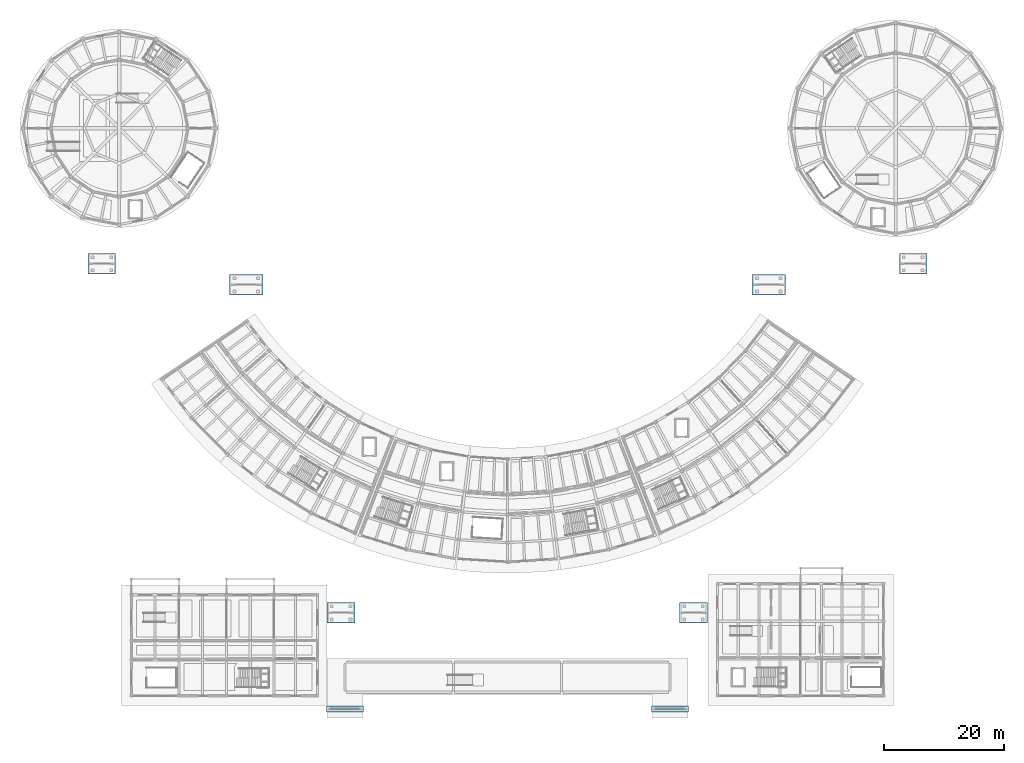
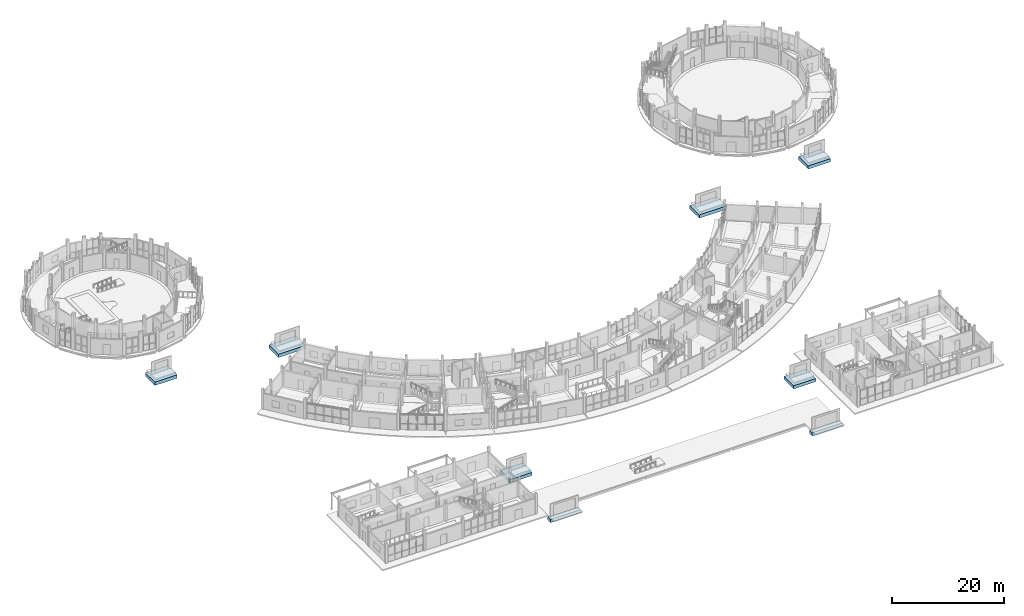
# One storey, part 1 of 92: 8 footings.
"""IFC4 building model written with IfcOpenShell, lengths in metres."""

from ifc_helpers import new_model, si_unit, direction, frame, origin, origin_2d, place, context, subcontext, project, spatial, rectangle, extrude, material, type_object, element, save


model = new_model("IFC4")

# Units and contexts
model_context = context("Model", 3, precision=1e-05, world=origin(), true_north=direction((0.0, 1.0)))
body_context = subcontext(model_context, "Body", "Model", "MODEL_VIEW")
ifc_project = project(units=[si_unit("LENGTHUNIT", "METRE"), si_unit("AREAUNIT", "SQUARE_METRE"), si_unit("VOLUMEUNIT", "CUBIC_METRE"), si_unit("PLANEANGLEUNIT", "RADIAN"), si_unit("MASSUNIT", "GRAM", prefix="KILO")], contexts=[model_context])

# Site, building, storey
site_placement = place(None, origin())
site = spatial("IfcSite", under=ifc_project, at=site_placement, CompositionType="ELEMENT")
building_placement = place(site_placement, origin())
building = spatial("IfcBuilding", under=site, at=building_placement, Name="Caldaven Crescent School", CompositionType="ELEMENT")
storey_placement = place(building_placement, origin())
storey = spatial("IfcBuildingStorey", under=building, at=storey_placement, Name="L00", CompositionType="ELEMENT", Elevation=0.0)

# Footings
ifc_material = material(Name="Concrete C35/45", Category="concrete")
footing_type_1 = type_object("IfcFootingType", Name="FTG-PAD01", PredefinedType="PAD_FOOTING", material=ifc_material)
for number, where, z_axis, x_axis, name in (
    (1, (61.0, 2.0, -0.93994140625), (0.0, 0.0, 1.0), (1.0, 0.0, 0.0), "PF-GATE-VG1"),
    (2, (115.0, 2.0, -0.93994140625), (0.0, 0.0, 1.0), (1.0, 0.0, 0.0), "PF-GATE-VG2"),
):
    element("IfcFooting", number, at=place(storey_placement, frame(where, z_axis=z_axis, x_axis=x_axis)), inside=storey, type_object=footing_type_1, Name=name, PredefinedType="PAD_FOOTING", context=body_context, shape_type="SweptSolid", body=[
        extrude(rectangle(XDim=6.199951171875, YDim=1.0, at=origin_2d()), origin(), (0.0, 0.0, 1.0), 0.699951171875),
    ])
footing_type_2 = type_object("IfcFootingType", Name="FTG-PAD02", PredefinedType="PAD_FOOTING", material=ifc_material)
for number, where, z_axis, x_axis, name in (
    (3, (60.35009765625, 18.0, -1.2900390625), (0.0, 0.0, 1.0), (1.0, 0.0, 0.0), "PF-GATE-CG3"),
    (4, (118.89990234375, 18.0, -1.2900390625), (0.0, 0.0, 1.0), (1.0, 0.0, 0.0), "PF-GATE-CG4"),
    (5, (20.60009765625, 76.0, -1.2900390625), (0.0, 0.0, 1.0), (1.0, 0.0, 0.0), "PF-GATE-CG5"),
    (6, (155.39990234375, 76.0, -1.2900390625), (0.0, 0.0, 1.0), (1.0, 0.0, 0.0), "PF-GATE-CG6"),
):
    element("IfcFooting", number, at=place(storey_placement, frame(where, z_axis=z_axis, x_axis=x_axis)), inside=storey, type_object=footing_type_2, Name=name, PredefinedType="PAD_FOOTING", context=body_context, shape_type="SweptSolid", body=[
        extrude(rectangle(XDim=4.60009765625, YDim=3.39990234375, at=origin_2d()), origin(), (0.0, 0.0, 1.0), 0.699951171875),
    ])
footing_type_3 = type_object("IfcFootingType", Name="FTG-PAD03", PredefinedType="PAD_FOOTING", material=ifc_material)
for number, where, z_axis, x_axis, name in (
    (7, (44.60009765625, 72.5, -1.2900390625), (0.0, 0.0, 1.0), (1.0, 0.0, 0.0), "PF-GATE-CG1"),
    (8, (131.39990234375, 72.5, -1.2900390625), (0.0, 0.0, 1.0), (1.0, 0.0, 0.0), "PF-GATE-CG2"),
):
    element("IfcFooting", number, at=place(storey_placement, frame(where, z_axis=z_axis, x_axis=x_axis)), inside=storey, type_object=footing_type_3, Name=name, PredefinedType="PAD_FOOTING", context=body_context, shape_type="SweptSolid", body=[
        extrude(rectangle(XDim=5.60009765625, YDim=3.39990234375, at=origin_2d()), origin(), (0.0, 0.0, 1.0), 0.699951171875),
    ])

save(model, "model.ifc")
